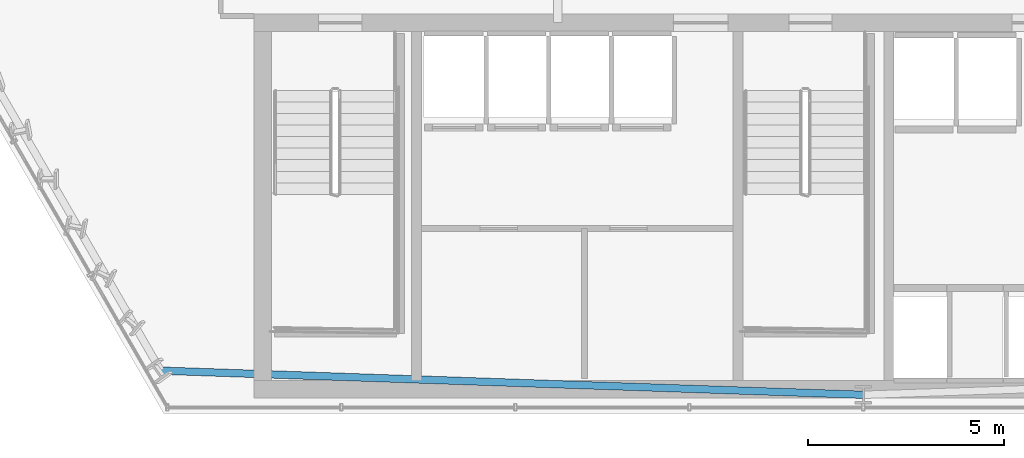
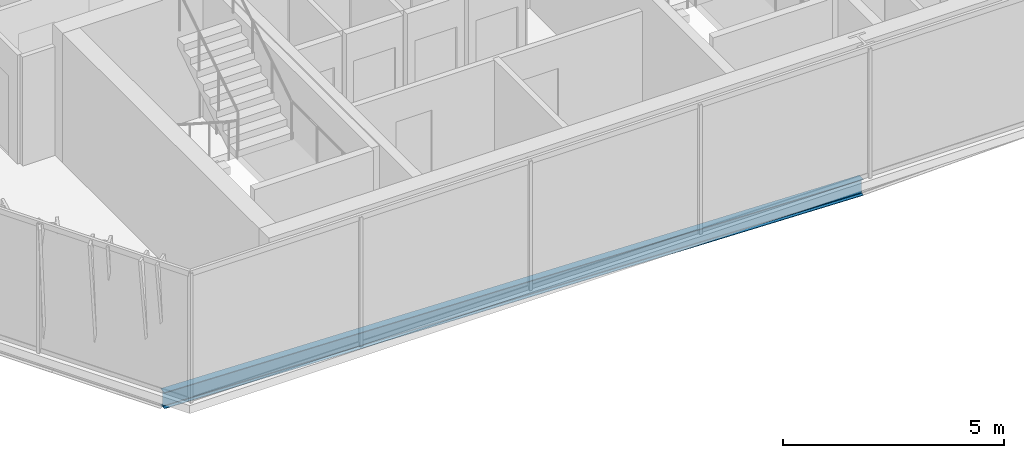
# One storey, part 3 of 31: 1 beam.
"""IFC4 building model written with IfcOpenShell, lengths in metres."""

import ifcopenshell
import ifcopenshell.guid

model = None  # the IFC model being written
_history = None  # IfcOwnerHistory: only IFC2X3 demands one
_inside = {}  # id of a spatial element -> (the spatial element, [elements in it])
_under = {}  # id of a project, library or spatial element -> (it, [spatial elements below it])
_declared = {}  # id of a project -> (the project, [libraries it declares])
_typed = {}  # id of a type object -> (the type object, [elements of that type])
_made_of = {}  # id of a material, layer set ... -> (it, [elements and type objects made of it])


def new_model(schema):
    """Start an empty IFC model of exactly this schema.

    Asked for "IFC4X3", IfcOpenShell would pick the latest addendum, in which some entities
    have other attributes; the version numbers below select the first issue.
    IFC2X3 requires an IfcOwnerHistory on every rooted entity: one is made here for all.
    """
    global model, _history
    if schema == "IFC4X3":
        model = ifcopenshell.file(schema_version=(4, 3, 0, 0))
    else:
        model = ifcopenshell.file(schema=schema)
    _inside.clear()
    _under.clear()
    _declared.clear()
    _typed.clear()
    _made_of.clear()
    _history = None
    if model.schema == "IFC2X3":
        org = make("IfcOrganization", Name="unknown")
        user = make(
            "IfcPersonAndOrganization",
            ThePerson=make("IfcPerson", FamilyName="unknown"),
            TheOrganization=org,
        )
        app = make(
            "IfcApplication",
            ApplicationDeveloper=org,
            Version="unknown",
            ApplicationFullName="unknown",
            ApplicationIdentifier="unknown",
        )
        _history = make(
            "IfcOwnerHistory",
            OwningUser=user,
            OwningApplication=app,
            ChangeAction="ADDED",
            CreationDate=0,
        )
    return model


def make(cls, **values):
    """One entity of the class cls with the attributes given. An attribute that is None is left unset."""
    return model.create_entity(
        cls, **{name: value for name, value in values.items() if value is not None}
    )


def rooted(cls, **values):
    """An entity with a GlobalId (a new one), such as an element, a storey or a relation."""
    return make(cls, GlobalId=ifcopenshell.guid.new(), OwnerHistory=_history, **values)


def si_unit(unit_type, name, prefix=None):
    """IfcSIUnit, for example si_unit("LENGTHUNIT", "METRE", prefix="MILLI")."""
    return make("IfcSIUnit", UnitType=unit_type, Prefix=prefix, Name=name)


def assignment(units):
    """IfcUnitAssignment: the units of a project."""
    return None if units is None else make("IfcUnitAssignment", Units=units)


def point(xyz):
    """IfcCartesianPoint."""
    return None if xyz is None else make("IfcCartesianPoint", Coordinates=xyz)


def direction(xyz):
    """IfcDirection."""
    return None if xyz is None else make("IfcDirection", DirectionRatios=xyz)


def frame(location, z_axis=None, x_axis=None):
    """IfcAxis2Placement3D, a coordinate frame: its origin and axes. An axis left out is left unset."""
    return make(
        "IfcAxis2Placement3D",
        Location=point(location),
        Axis=direction(z_axis),
        RefDirection=direction(x_axis),
    )


def frame_2d(location, x_axis=None):
    """IfcAxis2Placement2D, a coordinate frame in the plane: its origin and x axis."""
    return make(
        "IfcAxis2Placement2D", Location=point(location), RefDirection=direction(x_axis)
    )


def origin():
    """The frame at (0, 0, 0) with its axes left unset."""
    return frame((0.0, 0.0, 0.0))


def origin_2d():
    """The frame at (0, 0) in the plane with its x axis left unset."""
    return frame_2d((0.0, 0.0))


def place(relative_to, where):
    """IfcLocalPlacement: puts the frame where relative to a parent placement (None: the world)."""
    return make(
        "IfcLocalPlacement", PlacementRelTo=relative_to, RelativePlacement=where
    )


def context(
    kind, dimensions, precision=None, world=None, true_north=None, identifier=None
):
    """IfcGeometricRepresentationContext, for example the 3D "Model" context."""
    return make(
        "IfcGeometricRepresentationContext",
        ContextIdentifier=identifier,
        ContextType=kind,
        CoordinateSpaceDimension=dimensions,
        Precision=precision,
        WorldCoordinateSystem=world,
        TrueNorth=true_north,
    )


def subcontext(parent, identifier, kind, view, scale=None):
    """IfcGeometricRepresentationSubContext, for example "Body" below "Model"."""
    return make(
        "IfcGeometricRepresentationSubContext",
        ContextIdentifier=identifier,
        ContextType=kind,
        ParentContext=parent,
        TargetScale=scale,
        TargetView=view,
    )


def project(units=None, contexts=None):
    """IfcProject with its units and contexts."""
    return rooted(
        "IfcProject",
        Name="project",
        RepresentationContexts=contexts,
        UnitsInContext=assignment(units),
    )


def spatial(cls, under=None, at=None, **own):
    """A site, building, storey or space (cls), placed at a placement, below another one or the project."""
    s = rooted(cls, ObjectPlacement=at, **own)
    if under is not None:
        _under.setdefault(under.id(), (under, []))[1].append(s)
    return s


def profile(cls, at=None, kind="AREA", **sizes):
    """A parametric profile (cls). Its sizes go by their IFC names, for example OverallWidth=200.0."""
    return make(cls, ProfileType=kind, Position=at, **sizes)


def i_section(**sizes):
    """IfcIShapeProfileDef."""
    return profile("IfcIShapeProfileDef", **sizes)


def extrude(swept, where, along, depth):
    """IfcExtrudedAreaSolid: the profile swept, set in the frame where, extruded along a direction by depth."""
    return make(
        "IfcExtrudedAreaSolid",
        SweptArea=swept,
        Position=where,
        ExtrudedDirection=direction(along),
        Depth=depth,
    )


def shape(context_of_items, identifier, shape_type, items):
    """IfcShapeRepresentation: the items that make up one representation, for example the "Body"."""
    return make(
        "IfcShapeRepresentation",
        ContextOfItems=context_of_items,
        RepresentationIdentifier=identifier,
        RepresentationType=shape_type,
        Items=items,
    )


def material(Name=None, Category=None):
    """IfcMaterial."""
    return make("IfcMaterial", Name=Name, Category=Category)


def material_profile(
    of_material, cross_section, Name=None, Category=None, Priority=None
):
    """IfcMaterialProfile: a cross section and its material."""
    return make(
        "IfcMaterialProfile",
        Name=Name,
        Material=of_material,
        Profile=cross_section,
        Priority=Priority,
        Category=Category,
    )


def profile_set(profiles, Name=None, composite=None):
    """IfcMaterialProfileSet."""
    return make(
        "IfcMaterialProfileSet",
        Name=Name,
        MaterialProfiles=profiles,
        CompositeProfile=composite,
    )


def made_of(thing, what):
    """Note that an element or type object is made of a material, layer set ...; save() writes the relation."""
    if what is not None:
        _made_of.setdefault(what.id(), (what, []))[1].append(thing)
    return thing


def type_object(cls, material=None, **own):
    """A type object (cls), such as IfcWallType, which elements share."""
    return made_of(rooted(cls, **own), material)


def element(
    cls,
    number,
    at=None,
    inside=None,
    cuts=None,
    type_object=None,
    material=None,
    context=None,
    identifier="Body",
    shape_type=None,
    held_by="IfcProductDefinitionShape",
    body=None,
    shapes=None,
    **own,
):
    """One element of the class cls, such as IfcWall. Its Tag is "e" and its number.

    at: its placement. inside: the storey or other place that contains it. cuts: it is an
    opening in that element (IfcRelVoidsElement). A single representation is given by context,
    identifier, shape_type and body (its items); several are given by shapes. held_by: the class
    of the entity that holds the representations. save() writes the other relations.
    """
    e = rooted(cls, Tag="e%d" % number, ObjectPlacement=at, **own)
    if body is not None:
        shapes = [shape(context, identifier, shape_type, body)]
    if shapes is not None:
        e.Representation = make(held_by, Representations=shapes)
    if inside is not None:
        _inside.setdefault(inside.id(), (inside, []))[1].append(e)
    if cuts is not None:
        rooted(
            "IfcRelVoidsElement", RelatingBuildingElement=cuts, RelatedOpeningElement=e
        )
    if type_object is not None:
        _typed.setdefault(type_object.id(), (type_object, []))[1].append(e)
    return made_of(e, material)


def aggregate(whole, parts):
    """IfcRelAggregates: a whole, such as a stair, and the parts it consists of."""
    return rooted("IfcRelAggregates", RelatingObject=whole, RelatedObjects=parts)


def save(model, path):
    """Write the relations noted so far, then the file.

    IfcRelAggregates (storeys below a building ...), IfcRelContainedInSpatialStructure (elements
    in a storey), IfcRelDefinesByType, IfcRelAssociatesMaterial and IfcRelDeclares: one each for
    every whole, place, type object, material and project.
    """
    for whole, parts in _under.values():
        aggregate(whole, parts)
    for where, things in _inside.values():
        rooted(
            "IfcRelContainedInSpatialStructure",
            RelatedElements=things,
            RelatingStructure=where,
        )
    for kind, things in _typed.values():
        rooted("IfcRelDefinesByType", RelatedObjects=things, RelatingType=kind)
    for what, things in _made_of.values():
        rooted("IfcRelAssociatesMaterial", RelatedObjects=things, RelatingMaterial=what)
    for by, libraries in _declared.values():
        rooted("IfcRelDeclares", RelatingContext=by, RelatedDefinitions=libraries)
    model.write(path)


model = new_model("IFC4")

# Units and contexts
model_context = context("Model", 3, precision=1e-05, world=origin(), true_north=direction((0.0, 1.0)))
body_context = subcontext(model_context, "Body", "Model", "MODEL_VIEW")
ifc_project = project(units=[si_unit("LENGTHUNIT", "METRE"), si_unit("AREAUNIT", "SQUARE_METRE"), si_unit("VOLUMEUNIT", "CUBIC_METRE"), si_unit("PLANEANGLEUNIT", "RADIAN"), si_unit("MASSUNIT", "GRAM", prefix="KILO")], contexts=[model_context])

# Site, building, storey
site_placement = place(None, origin())
site = spatial("IfcSite", under=ifc_project, at=site_placement, CompositionType="ELEMENT")
building_placement = place(site_placement, origin())
building = spatial("IfcBuilding", under=site, at=building_placement, Name="Ndaravel Arena Tower", CompositionType="ELEMENT")
storey_placement = place(building_placement, frame((0.0, 0.0, 146.0)))
storey = spatial("IfcBuildingStorey", under=building, at=storey_placement, Name="L34", CompositionType="ELEMENT", Elevation=146.0)

# Beam
ifc_material = material(Name="Steel S355", Category="steel")
ifc_material_profile = material_profile(ifc_material, i_section(OverallWidth=0.18994140625, OverallDepth=0.449951171875, WebThickness=0.009521484375, FlangeThickness=0.0146484375, FilletRadius=0.02099609375, at=origin_2d()), Name="IPE 450")
ifc_profile_set = profile_set([ifc_material_profile], Name="Steel S355")
beam_type = type_object("IfcBeamType", Name="BM-SPAN-IPE450", PredefinedType="SPANDREL", material=ifc_profile_set)
beam_placement = place(storey_placement, frame((24.068603515625, 6.096435546875, -0.445068359375), z_axis=(0.99940958159, -0.03435823374, 0.0), x_axis=(0.03435823374, 0.99940958159, 0.0)))
element("IfcBeam", 1, at=beam_placement, inside=storey, type_object=beam_type, Name="L34 Perimeter Spandrel Beam SP-27", PredefinedType="SPANDREL", context=body_context, shape_type="SweptSolid", body=[
    extrude(i_section(OverallWidth=0.18994140625, OverallDepth=0.449951171875, WebThickness=0.009521484375, FlangeThickness=0.0146484375, FilletRadius=0.02099609375, at=origin_2d()), origin(), (0.0, 0.0, 1.0), 17.94189453125),
])

save(model, "model.ifc")
